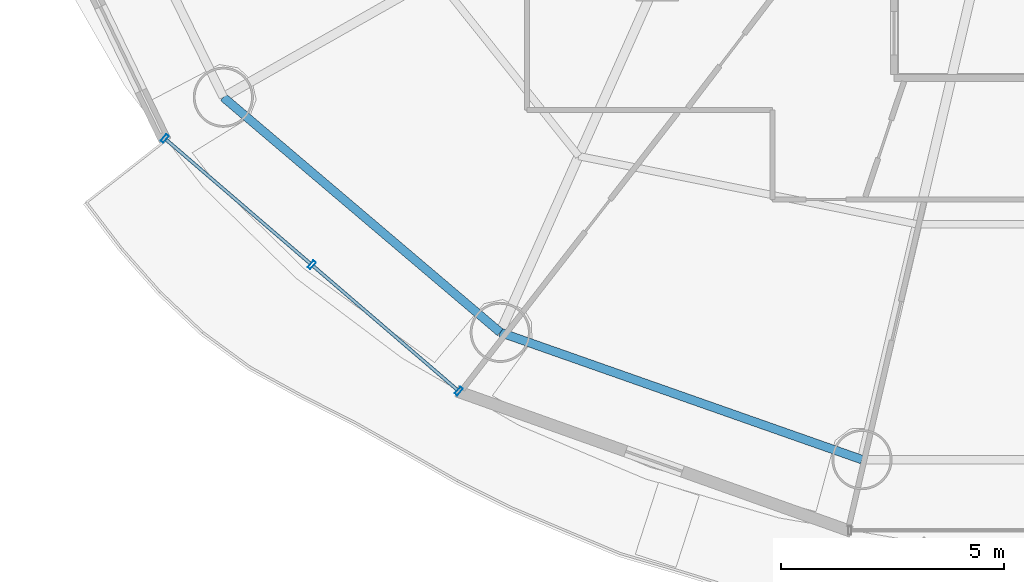
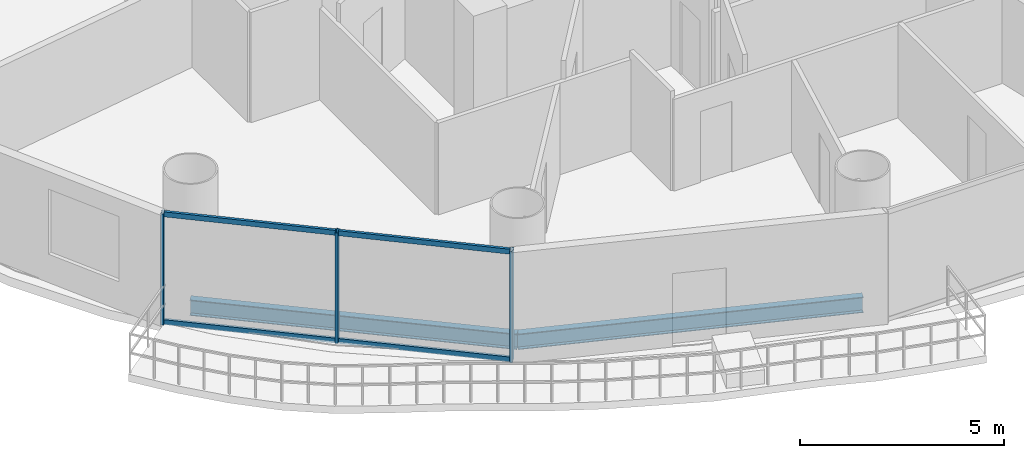
# One storey, part 2 of 26: 7 members, 2 beams, 1 element without a shape of its own.
"""IFC4 building model written with IfcOpenShell, lengths in metres."""

from ifc_helpers import new_model, si_unit, direction, frame, origin, origin_2d, place, context, subcontext, project, spatial, hollow_rectangle, i_section, extrude, source, transform, mapped, material, material_profile, profile_set, type_object, element, aggregate, save


model = new_model("IFC4")

# Units and contexts
model_context = context("Model", 3, precision=1e-05, world=origin(), true_north=direction((-0.2419218956, 0.970295726276)))
body_context = subcontext(model_context, "Body", "Model", "MODEL_VIEW")
ifc_project = project(units=[si_unit("LENGTHUNIT", "METRE"), si_unit("AREAUNIT", "SQUARE_METRE"), si_unit("VOLUMEUNIT", "CUBIC_METRE"), si_unit("PLANEANGLEUNIT", "RADIAN"), si_unit("MASSUNIT", "GRAM", prefix="KILO")], contexts=[model_context])

# Site, building, storey
site_placement = place(None, origin())
site = spatial("IfcSite", under=ifc_project, at=site_placement, CompositionType="ELEMENT")
building_placement = place(site_placement, origin())
building = spatial("IfcBuilding", under=site, at=building_placement, Name="Cobrevalo Terracotta Tower", CompositionType="ELEMENT")
storey_placement = place(building_placement, frame((0.0, 0.0, 139.0)))
storey = spatial("IfcBuildingStorey", under=building, at=storey_placement, Name="L36", CompositionType="ELEMENT", Elevation=139.0)

# Beams
ifc_material_1 = material(Name="Steel S355", Category="steel")
ifc_material_profile_1 = material_profile(ifc_material_1, i_section(OverallWidth=0.194091796875, OverallDepth=0.468994140625, WebThickness=0.011474609375, FlangeThickness=0.0205078125, at=origin_2d()), Name="W 460x106")
ifc_profile_set_1 = profile_set([ifc_material_profile_1], Name="Steel S355")
beam_type = type_object("IfcBeamType", Name="Structural Spandrel W 460x106 (Steel S355)", PredefinedType="SPANDREL", material=ifc_profile_set_1)
beam_1_placement = place(storey_placement, frame((19.250244140625, 16.160888671875, -0.50439453125), z_axis=(0.762240337798, -0.647294112003, 0.0), x_axis=(0.647294112003, 0.762240337798, 0.0)))
element("IfcBeam", 1, at=beam_1_placement, inside=storey, type_object=beam_type, Name="L36 perimeter ring spandrel 10", PredefinedType="SPANDREL", context=body_context, shape_type="SweptSolid", body=[
    extrude(i_section(OverallWidth=0.194091796875, OverallDepth=0.468994140625, WebThickness=0.011474609375, FlangeThickness=0.0205078125, at=origin_2d()), origin(), (0.0, 0.0, 1.0), 8.162353515625),
])
beam_2_placement = place(storey_placement, frame((25.471923828125, 10.87744140625, -0.50439453125), z_axis=(0.943341298492, -0.331824041565, 0.0), x_axis=(0.331824041565, 0.943341298492, 0.0)))
element("IfcBeam", 2, at=beam_2_placement, inside=storey, type_object=beam_type, Name="L36 perimeter ring spandrel 11", PredefinedType="SPANDREL", context=body_context, shape_type="SweptSolid", body=[
    extrude(i_section(OverallWidth=0.194091796875, OverallDepth=0.468994140625, WebThickness=0.011474609375, FlangeThickness=0.0205078125, at=origin_2d()), origin(), (0.0, 0.0, 1.0), 8.6171875),
])

# Curtain wall, members
ifc_material_2 = material(Name="Anodized aluminium", Category="aluminium")
curtain_wall_type = type_object("IfcCurtainWallType", Name="Mid-tower high-wind unitised curtain wall CW-U2", PredefinedType="NOTDEFINED", material=ifc_material_2)
curtain_wall_placement = place(storey_placement, origin())
curtain_wall = element("IfcCurtainWall", 3, at=curtain_wall_placement, inside=storey, type_object=curtain_wall_type, Name="L36 curtain wall CW-L36-S10", PredefinedType="NOTDEFINED")
ifc_material_profile_2 = material_profile(ifc_material_2, hollow_rectangle(XDim=0.074951171875, YDim=0.199951171875, WallThickness=0.0048828125, at=origin_2d()), Name="CWM 75x200")
ifc_profile_set_2 = profile_set([ifc_material_profile_2], Name="Anodized aluminium")
member_type_1 = type_object("IfcMemberType", Name="Lower/mid tower unitised mullion 75x200", PredefinedType="MULLION", material=ifc_profile_set_2)
shared_shape_1 = source(origin(), body_context, "Body", "SweptSolid", [
    extrude(hollow_rectangle(XDim=0.074951171875, YDim=0.199951171875, WallThickness=0.0048828125, at=origin_2d()), origin(), (0.0, 0.0, 1.0), 3.330078125),
])
member_1_placement = place(storey_placement, frame((17.933837890625, 15.234619140625, 0.0), z_axis=(0.0, 0.0, 1.0), x_axis=(0.758441546142, -0.65174106905, 0.0)))
member_1 = element("IfcMember", 4, at=member_1_placement, type_object=member_type_1, Name="CW-L36-S10 vertical mullion 01", PredefinedType="MULLION", context=body_context, shape_type="MappedRepresentation", body=[
    mapped(shared_shape_1, transform((0.0, 0.0, 0.0), scale=1.0)),
])
member_2_placement = place(storey_placement, frame((21.237548828125, 12.3955078125, 0.0), z_axis=(0.0, 0.0, 1.0), x_axis=(0.758441546142, -0.65174106905, 0.0)))
member_2 = element("IfcMember", 5, at=member_2_placement, type_object=member_type_1, Name="CW-L36-S10 vertical mullion 02", PredefinedType="MULLION", context=body_context, shape_type="MappedRepresentation", body=[
    mapped(shared_shape_1, transform((0.0, 0.0, 0.0), scale=1.0)),
])
member_3_placement = place(storey_placement, frame((24.54150390625, 9.556396484375, 0.0), z_axis=(0.0, 0.0, 1.0), x_axis=(0.758441546142, -0.65174106905, 0.0)))
member_3 = element("IfcMember", 6, at=member_3_placement, type_object=member_type_1, Name="CW-L36-S10 vertical mullion 03", PredefinedType="MULLION", context=body_context, shape_type="MappedRepresentation", body=[
    mapped(shared_shape_1, transform((0.0, 0.0, 0.0), scale=1.0)),
])
ifc_material_profile_3 = material_profile(ifc_material_2, hollow_rectangle(XDim=0.074951171875, YDim=0.14990234375, WallThickness=0.00439453125, at=origin_2d()), Name="CWT 75x150")
ifc_profile_set_3 = profile_set([ifc_material_profile_3], Name="Anodized aluminium")
member_type_2 = type_object("IfcMemberType", Name="Tower unitised aluminium transom 75x150", PredefinedType="USERDEFINED", material=ifc_profile_set_3)
shared_shape_2 = source(origin(), body_context, "Body", "SweptSolid", [
    extrude(hollow_rectangle(XDim=0.074951171875, YDim=0.14990234375, WallThickness=0.00439453125, at=origin_2d()), origin(), (0.0, 0.0, 1.0), 4.276123046875),
])
member_4_placement = place(storey_placement, frame((17.964111328125, 15.208740234375, 0.050048828125), z_axis=(0.758417719247, -0.651768795764, 0.0), x_axis=(0.651768795764, 0.758417719247, 0.0)))
member_4 = element("IfcMember", 7, at=member_4_placement, type_object=member_type_2, Name="CW-L36-S10 transom B01-T1", ObjectType="TRANSOM", PredefinedType="USERDEFINED", context=body_context, shape_type="MappedRepresentation", body=[
    mapped(shared_shape_2, transform((0.0, 0.0, 0.0), scale=1.0)),
])
member_5_placement = place(storey_placement, frame((17.964111328125, 15.208740234375, 3.280029296875), z_axis=(0.758417719247, -0.651768795764, 0.0), x_axis=(0.651768795764, 0.758417719247, 0.0)))
member_5 = element("IfcMember", 8, at=member_5_placement, type_object=member_type_2, Name="CW-L36-S10 transom B01-T2", ObjectType="TRANSOM", PredefinedType="USERDEFINED", context=body_context, shape_type="MappedRepresentation", body=[
    mapped(shared_shape_2, transform((0.0, 0.0, 0.0), scale=1.0)),
])
member_6_placement = place(storey_placement, frame((21.26806640625, 12.36962890625, 0.050048828125), z_axis=(0.758417719247, -0.651768795764, 0.0), x_axis=(0.651768795764, 0.758417719247, 0.0)))
member_6 = element("IfcMember", 9, at=member_6_placement, type_object=member_type_2, Name="CW-L36-S10 transom B02-T1", ObjectType="TRANSOM", PredefinedType="USERDEFINED", context=body_context, shape_type="MappedRepresentation", body=[
    mapped(shared_shape_2, transform((0.0, 0.0, 0.0), scale=1.0)),
])
member_7_placement = place(storey_placement, frame((21.26806640625, 12.36962890625, 3.280029296875), z_axis=(0.758417719247, -0.651768795764, 0.0), x_axis=(0.651768795764, 0.758417719247, 0.0)))
member_7 = element("IfcMember", 10, at=member_7_placement, type_object=member_type_2, Name="CW-L36-S10 transom B02-T2", ObjectType="TRANSOM", PredefinedType="USERDEFINED", context=body_context, shape_type="MappedRepresentation", body=[
    mapped(shared_shape_2, transform((0.0, 0.0, 0.0), scale=1.0)),
])
aggregate(curtain_wall, [member_1, member_2, member_3, member_4, member_5, member_6, member_7])

save(model, "model.ifc")
